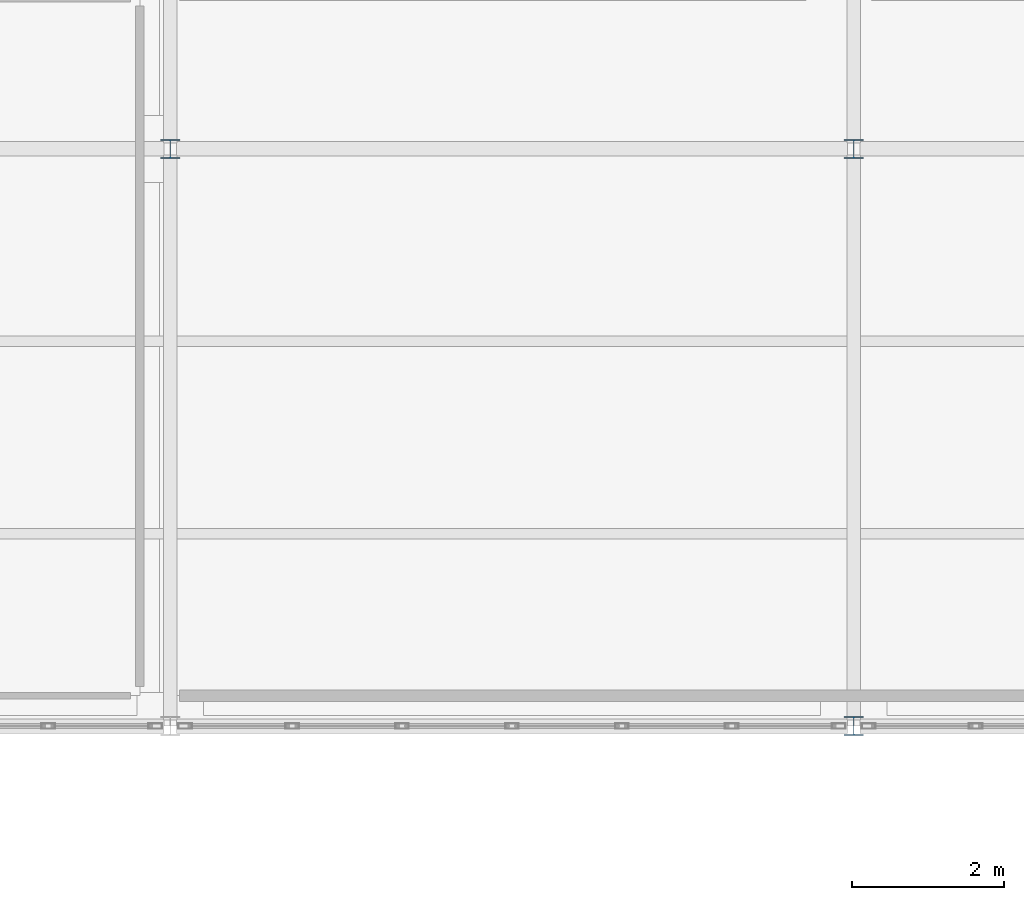
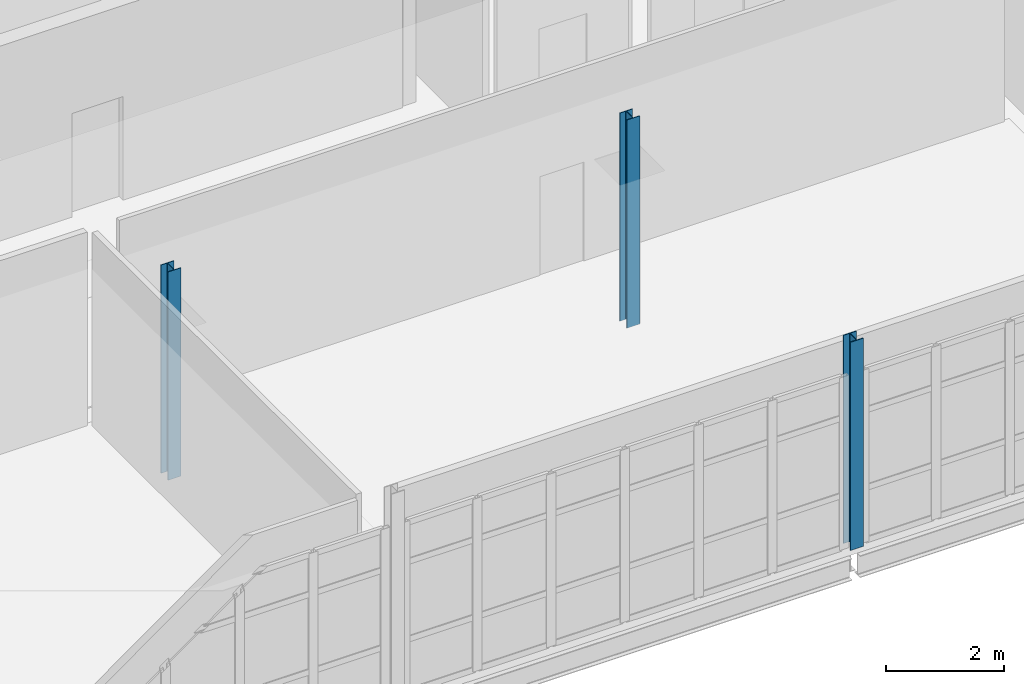
# One storey, part 8 of 96: 3 columns.
"""IFC4 building model written with IfcOpenShell, lengths in metres."""

from ifc_helpers import new_model, si_unit, direction, frame, origin, origin_2d, place, context, subcontext, project, spatial, i_section, extrude, material, material_profile, profile_set, type_object, element, save


model = new_model("IFC4")

# Units and contexts
model_context = context("Model", 3, precision=1e-05, world=origin(), true_north=direction((0.0, 1.0)))
body_context = subcontext(model_context, "Body", "Model", "MODEL_VIEW")
ifc_project = project(units=[si_unit("LENGTHUNIT", "METRE"), si_unit("AREAUNIT", "SQUARE_METRE"), si_unit("VOLUMEUNIT", "CUBIC_METRE"), si_unit("PLANEANGLEUNIT", "RADIAN"), si_unit("MASSUNIT", "GRAM", prefix="KILO")], contexts=[model_context])

# Site, building, storey
site_placement = place(None, origin())
site = spatial("IfcSite", under=ifc_project, at=site_placement, CompositionType="ELEMENT")
building_placement = place(site_placement, origin())
building = spatial("IfcBuilding", under=site, at=building_placement, Name="Caisbarro Railhouse Central Library", CompositionType="ELEMENT")
storey_placement = place(building_placement, frame((0.0, 0.0, 13.679931640625)))
storey = spatial("IfcBuildingStorey", under=building, at=storey_placement, Name="L03", CompositionType="ELEMENT", Elevation=13.679931640625)

# Columns
ifc_material = material(Name="Steel ASTM A572 Grade 50", Category="steel")
ifc_material_profile = material_profile(ifc_material, i_section(OverallWidth=0.25390625, OverallDepth=0.2529296875, WebThickness=0.008544921875, FlangeThickness=0.01416015625, FilletRadius=0.011962890625, at=origin_2d()), Name="W250X73.0")
ifc_profile_set = profile_set([ifc_material_profile], Name="Steel ASTM A572 Grade 50")
column_type = type_object("IfcColumnType", Name="COL-C08", PredefinedType="COLUMN", material=ifc_profile_set)
for number, where, z_axis, x_axis, name in (
    (1, (81.0, 91.199951171875, 0.0), (0.0, 0.0, 1.0), (1.0, 0.0, 0.0), "C08 column L03 (81.0,91.2)"),
    (2, (90.0, 83.60009765625, 0.0), (0.0, 0.0, 1.0), (1.0, 0.0, 0.0), "C08 column L03 (90.0,83.6)"),
    (3, (90.0, 91.199951171875, 0.0), (0.0, 0.0, 1.0), (1.0, 0.0, 0.0), "C08 column L03 (90.0,91.2)"),
):
    element("IfcColumn", number, at=place(storey_placement, frame(where, z_axis=z_axis, x_axis=x_axis)), inside=storey, type_object=column_type, Name=name, PredefinedType="COLUMN", context=body_context, shape_type="SweptSolid", body=[
        extrude(i_section(OverallWidth=0.25390625, OverallDepth=0.2529296875, WebThickness=0.008544921875, FlangeThickness=0.01416015625, FilletRadius=0.011962890625, at=origin_2d()), origin(), (0.0, 0.0, 1.0), 4.320068359375),
    ])

save(model, "model.ifc")
